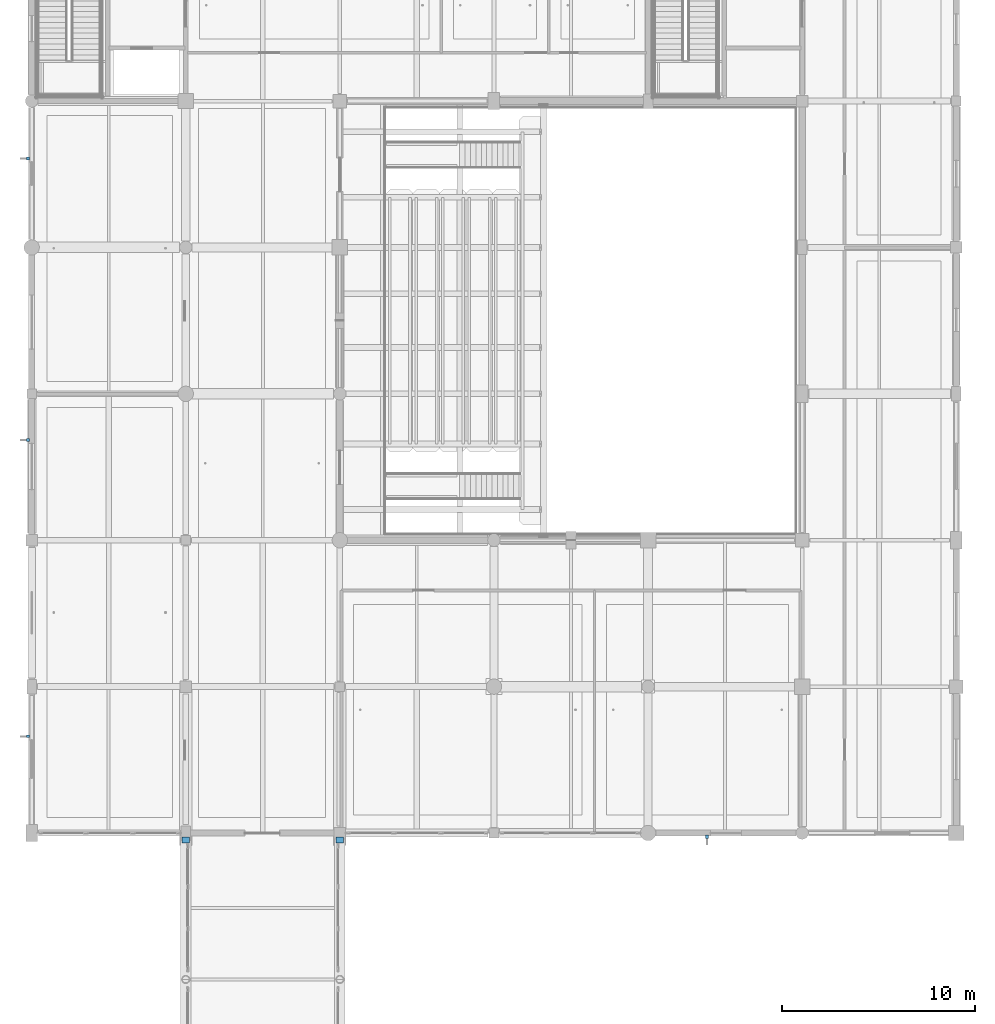
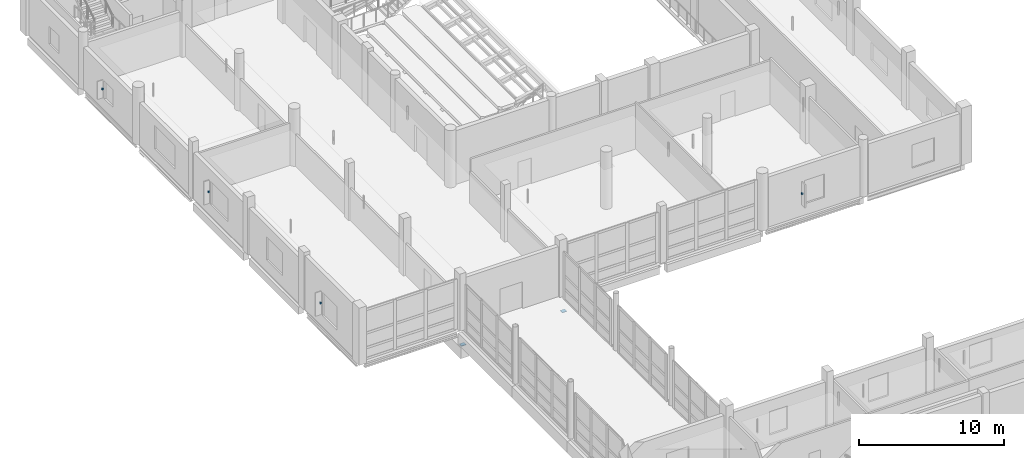
# One storey, part 124 of 147: 6 discrete accessories.
"""IFC4 building model written with IfcOpenShell, lengths in metres."""

from ifc_helpers import new_model, si_unit, direction, frame, origin, origin_2d, place, context, subcontext, project, spatial, rectangle, extrude, material, type_object, element, save


model = new_model("IFC4")

# Units and contexts
model_context = context("Model", 3, precision=1e-05, world=origin(), true_north=direction((0.0, 1.0)))
body_context = subcontext(model_context, "Body", "Model", "MODEL_VIEW")
ifc_project = project(units=[si_unit("LENGTHUNIT", "METRE"), si_unit("AREAUNIT", "SQUARE_METRE"), si_unit("VOLUMEUNIT", "CUBIC_METRE"), si_unit("PLANEANGLEUNIT", "RADIAN"), si_unit("MASSUNIT", "GRAM", prefix="KILO")], contexts=[model_context])

# Site, building, storey
site_placement = place(None, origin())
site = spatial("IfcSite", under=ifc_project, at=site_placement, CompositionType="ELEMENT")
building_placement = place(site_placement, origin())
building = spatial("IfcBuilding", under=site, at=building_placement, Name="Khelvaren Railside Concert Hall", CompositionType="ELEMENT")
storey_placement = place(building_placement, frame((0.0, 0.0, 5.39990234375)))
storey = spatial("IfcBuildingStorey", under=building, at=storey_placement, Name="L01", CompositionType="ELEMENT", Elevation=5.39990234375)

# Discrete accessories
ifc_material_1 = material(Name="Architectural stainless steel Grade 316", Category="steel")
discrete_accessory_type_1 = type_object("IfcDiscreteAccessoryType", Name="BRK87", PredefinedType="BRACKET", material=ifc_material_1)
for number, where, z_axis, x_axis, name in (
    (1, (35.0576171875, 68.205078125, 1.85498046875), (0.0, 0.0, 1.0), (-1.0, 0.0, 0.0), "Solar Fin Bracket EW-V4-L01-S-32"),
    (2, (-0.195068359375, 73.41748046875, 1.85498046875), (0.0, 0.0, 1.0), (0.0, 1.0, 0.0), "Solar Fin Bracket EW-V4-L01-W-68"),
    (3, (-0.195068359375, 88.804931640625, 1.85498046875), (0.0, 0.0, 1.0), (0.0, 1.0, 0.0), "Solar Fin Bracket EW-V4-L01-W-84"),
    (4, (-0.195068359375, 103.41748046875, 1.63037109375), (0.0, 0.0, 1.0), (0.0, 1.0, 0.0), "Solar Fin Bracket EW-V4-L01-W-99"),
):
    element("IfcDiscreteAccessory", number, at=place(storey_placement, frame(where, z_axis=z_axis, x_axis=x_axis)), inside=storey, type_object=discrete_accessory_type_1, Name=name, PredefinedType="BRACKET", context=body_context, shape_type="SweptSolid", body=[
        extrude(rectangle(XDim=0.139892578125, YDim=0.159912109375, at=origin_2d()), origin(), (0.0, 0.0, 1.0), 0.139892578125),
    ])
ifc_material_2 = material(Name="Elastomeric PTFE sliding bearing assembly", Category="steel")
discrete_accessory_type_2 = type_object("IfcDiscreteAccessoryType", Name="SB94", PredefinedType="USERDEFINED", material=ifc_material_2)
for number, where, z_axis, x_axis, name in (
    (5, (8.0, 68.0400390625, -1.2099609375), (0.0, 0.0, 1.0), (0.0, 1.0, 0.0), "West Court Chamber Link Bridge L01 Unguided PTFE Sliding Bearing 1"),
    (6, (16.0, 68.0400390625, -1.2099609375), (0.0, 0.0, 1.0), (0.0, 1.0, 0.0), "West Court Chamber Link Bridge L01 Unguided PTFE Sliding Bearing 2"),
):
    element("IfcDiscreteAccessory", number, at=place(storey_placement, frame(where, z_axis=z_axis, x_axis=x_axis)), inside=storey, type_object=discrete_accessory_type_2, Name=name, ObjectType="SLIDING BEARING", PredefinedType="USERDEFINED", context=body_context, shape_type="SweptSolid", body=[
        extrude(rectangle(XDim=0.300048828125, YDim=0.3798828125, at=origin_2d()), origin(), (0.0, 0.0, 1.0), 0.050048828125),
    ])

save(model, "model.ifc")
